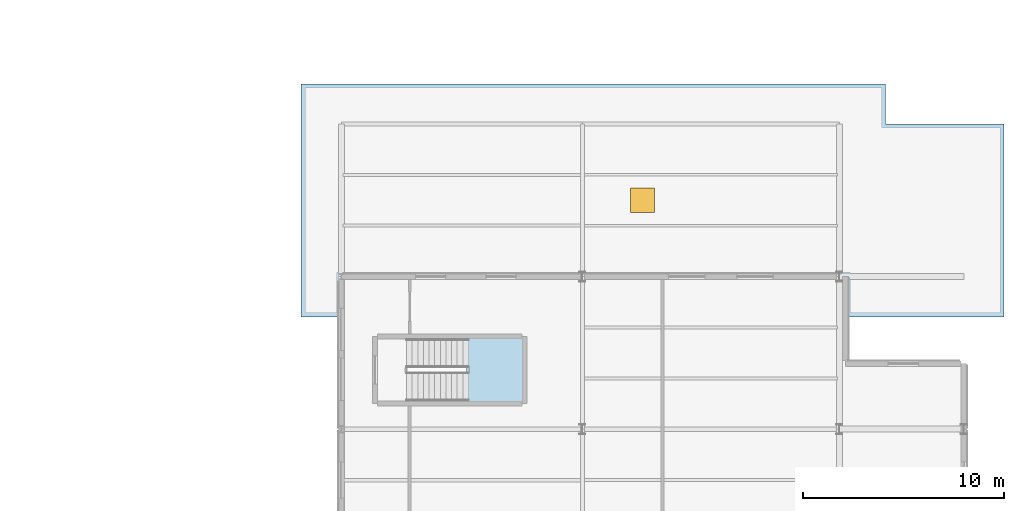
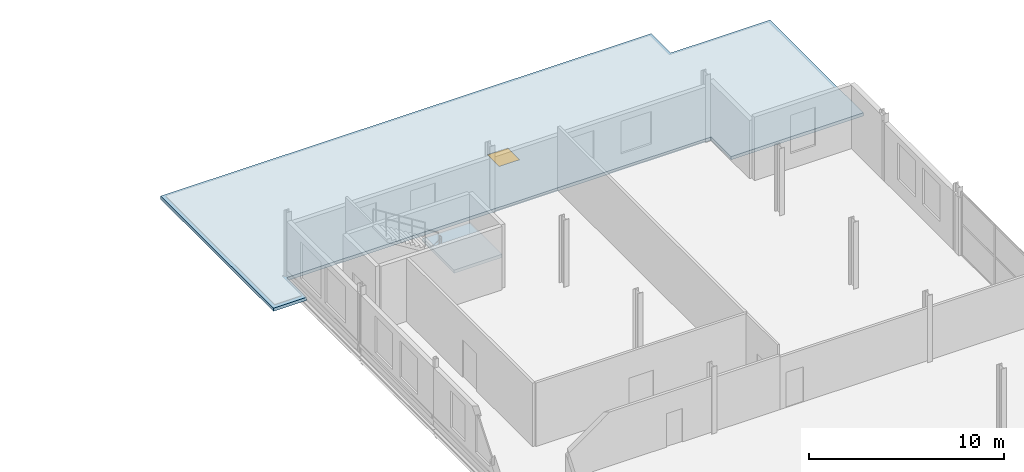
# One storey, part 73 of 101: 2 slabs, 1 window, 1 opening, 1 element without a shape of its own.
"""IFC4 building model written with IfcOpenShell, lengths in metres."""

from ifc_helpers import new_model, si_unit, direction, frame, origin, origin_2d, place, context, subcontext, project, spatial, polyline, rectangle, outline, extrude, material, layer, layer_set, type_object, element, fill, aggregate, save


model = new_model("IFC4")

# Units and contexts
model_context = context("Model", 3, precision=1e-05, world=origin(), true_north=direction((0.0, 1.0)))
body_context = subcontext(model_context, "Body", "Model", "MODEL_VIEW")
ifc_project = project(units=[si_unit("LENGTHUNIT", "METRE"), si_unit("AREAUNIT", "SQUARE_METRE"), si_unit("VOLUMEUNIT", "CUBIC_METRE"), si_unit("PLANEANGLEUNIT", "RADIAN"), si_unit("MASSUNIT", "GRAM", prefix="KILO")], contexts=[model_context])

# Site, building, storey
site_placement = place(None, origin())
site = spatial("IfcSite", under=ifc_project, at=site_placement, CompositionType="ELEMENT")
building_placement = place(site_placement, origin())
building = spatial("IfcBuilding", under=site, at=building_placement, Name="Vekula Escarpment Museum", CompositionType="ELEMENT")
storey_placement = place(building_placement, frame((0.0, 0.0, 18.0)))
storey = spatial("IfcBuildingStorey", under=building, at=storey_placement, Name="L04", CompositionType="ELEMENT", Elevation=18.0)

# Stair, slab
ifc_material_1 = material(Name="Concrete C35/45", Category="concrete")
stair_type = type_object("IfcStairType", Name="STR-TYPE-145", PredefinedType="HALF_TURN_STAIR", material=ifc_material_1)
stair_placement = place(storey_placement, origin())
stair = element("IfcStair", 1, at=stair_placement, inside=storey, type_object=stair_type, Name="L04 Northeast Cumba Exit Stair ST-05", PredefinedType="HALF_TURN_STAIR")
ifc_material_2 = material(Name="Concrete C35/45", Category="concrete")
ifc_layer_1 = layer(ifc_material_2, 0.199951171875)
ifc_layer_set_1 = layer_set([ifc_layer_1], Name="Concrete C35/45")
slab_type_1 = type_object("IfcSlabType", Name="SL-LAND-200", PredefinedType="LANDING", material=ifc_layer_set_1)
slab_1_placement = place(storey_placement, frame((0.0, 0.0, 1.89990234375)))
slab_1 = element("IfcSlab", 2, at=slab_1_placement, type_object=slab_type_1, Name="ST-05 landing 1", PredefinedType="LANDING", context=body_context, shape_type="SweptSolid", body=[
    extrude(outline(polyline([(173.239990234375, 114.510009765625), (176.090087890625, 114.510009765625), (176.090087890625, 117.7900390625), (173.239990234375, 117.7900390625), (173.239990234375, 114.510009765625)])), origin(), (0.0, 0.0, 1.0), 0.2001953125),
])
aggregate(stair, [slab_1])

# Slab, opening, window
ifc_material_3 = material(Name="Concrete C35/45", Category="concrete")
ifc_layer_2 = layer(ifc_material_3, 0.199951171875)
ifc_layer_set_2 = layer_set([ifc_layer_2], Name="Concrete C35/45")
slab_type_2 = type_object("IfcSlabType", Name="SL-ROOF-200", PredefinedType="ROOF", material=ifc_layer_set_2)
slab_2_placement = place(storey_placement, frame((0.0, 0.0, -0.199951171875)))
slab_2 = element("IfcSlab", 3, at=slab_2_placement, inside=storey, type_object=slab_type_2, Name="Overhanging Eave Roof Slab R-L04-V3N", PredefinedType="ROOF", context=body_context, shape_type="SweptSolid", body=[
    extrude(outline(polyline([(165.0, 130.39990234375), (194.110107421875, 130.39990234375), (194.110107421875, 128.39990234375), (200.0, 128.39990234375), (200.0, 118.800048828125), (192.139892578125, 118.800048828125), (192.139892578125, 120.830078125), (166.969970703125, 120.830078125), (166.969970703125, 118.800048828125), (165.0, 118.800048828125), (165.0, 130.39990234375)])), origin(), (0.0, 0.0, 1.0), 0.199951171875),
])
opening_placement = place(slab_2_placement, frame((182.0, 124.60009765625, -0.010009765625)))
opening = element("IfcOpeningElement", 4, at=opening_placement, cuts=slab_2, Name="Opening RH-01", PredefinedType="OPENING", context=body_context, shape_type="SweptSolid", body=[
    extrude(rectangle(XDim=1.199951171875, YDim=1.199951171875, at=origin_2d()), origin(), (0.0, 0.0, 1.0), 0.219970703125),
])
ifc_material_4 = material(Name="Double solar-control low-E glass", Category="glass")
window_type = type_object("IfcWindowType", Name="SK-HATCH-12x12", PartitioningType="SINGLE_PANEL", PredefinedType="SKYLIGHT", material=ifc_material_4)
window_placement = place(opening_placement, frame((0.0, 0.0, 0.14990234375)))
window = element("IfcWindow", 5, at=window_placement, inside=storey, type_object=window_type, Name="Roof Access Hatch RH-03", OverallHeight=1.199951171875, OverallWidth=1.199951171875, PartitioningType="SINGLE_PANEL", PredefinedType="SKYLIGHT", context=body_context, shape_type="SweptSolid", body=[
    extrude(rectangle(XDim=1.199951171875, YDim=1.199951171875, at=origin_2d()), origin(), (0.0, 0.0, 1.0), 0.050048828125),
])
fill(opening, window)

save(model, "model.ifc")
